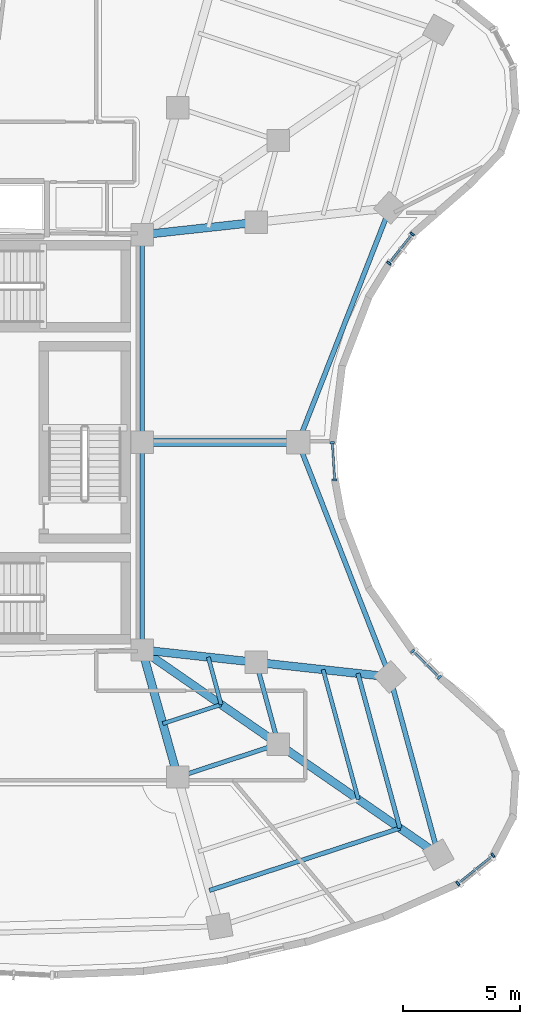
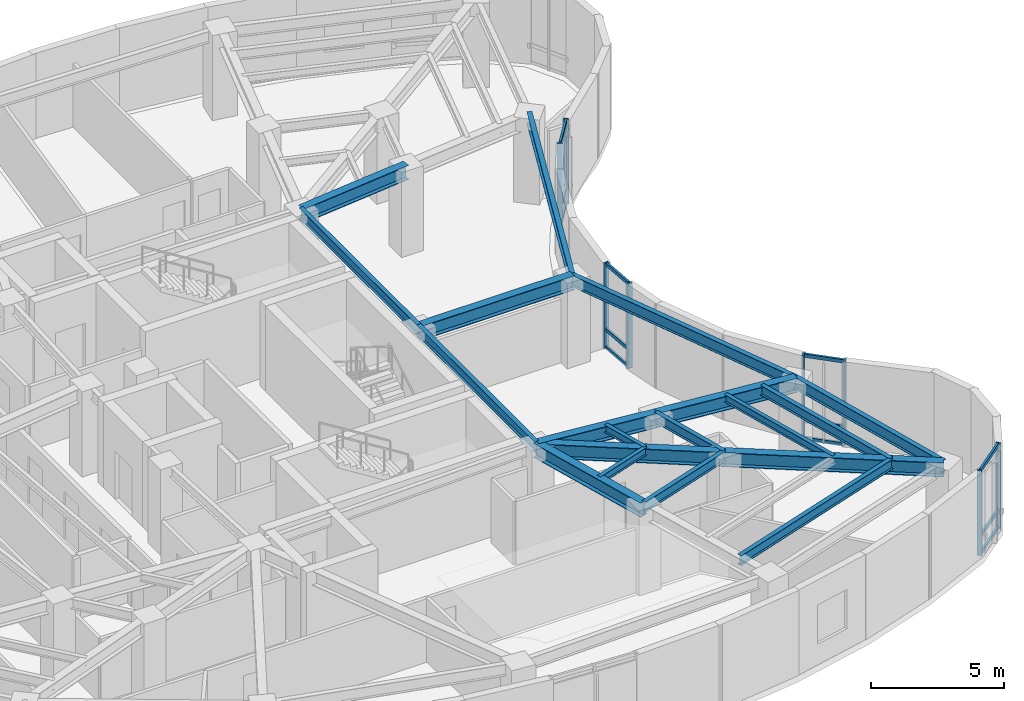
# One storey, part 4 of 15: 20 members, 19 beams, 4 elements without a shape of their own.
"""IFC4 building model written with IfcOpenShell, lengths in metres."""

from ifc_helpers import new_model, si_unit, direction, frame, origin, origin_2d, place, context, subcontext, project, spatial, rectangle, i_section, extrude, material, layer, layer_set, material_profile, profile_set, type_object, element, aggregate, save


model = new_model("IFC4")

# Units and contexts
model_context = context("Model", 3, precision=1e-05, world=origin(), true_north=direction((0.0, 1.0)))
body_context = subcontext(model_context, "Body", "Model", "MODEL_VIEW")
ifc_project = project(units=[si_unit("LENGTHUNIT", "METRE"), si_unit("AREAUNIT", "SQUARE_METRE"), si_unit("VOLUMEUNIT", "CUBIC_METRE"), si_unit("PLANEANGLEUNIT", "RADIAN"), si_unit("MASSUNIT", "GRAM", prefix="KILO")], contexts=[model_context])

# Site, building, storey
site_placement = place(None, origin())
site = spatial("IfcSite", under=ifc_project, at=site_placement, CompositionType="ELEMENT")
building_placement = place(site_placement, origin())
building = spatial("IfcBuilding", under=site, at=building_placement, Name="Korentha Bioscience Tower", CompositionType="ELEMENT")
storey_placement = place(building_placement, frame((0.0, 0.0, 218.39990234375)))
storey = spatial("IfcBuildingStorey", under=building, at=storey_placement, Name="L50", CompositionType="ELEMENT", Elevation=218.39990234375)

# Beams
ifc_material_1 = material(Name="Steel S355", Category="steel")
ifc_material_profile_1 = material_profile(ifc_material_1, i_section(OverallWidth=0.18994140625, OverallDepth=0.45703125, WebThickness=0.009033203125, FlangeThickness=0.014404296875, at=origin_2d()), Name="Steel S355")
ifc_profile_set_1 = profile_set([ifc_material_profile_1], Name="Steel S355 (MB-460)")
beam_type_1 = type_object("IfcBeamType", Name="Mid-Ring Tie Girder W460x74", PredefinedType="BEAM", material=ifc_profile_set_1)
beam_1_placement = place(storey_placement, frame((39.066650390625, 12.730224609375, 3.671630859375), z_axis=(0.950447398506, 0.310885417274, 0.0), x_axis=(-0.310885417274, 0.950447398506, 0.0)))
element("IfcBeam", 1, at=beam_1_placement, inside=storey, type_object=beam_type_1, Name="L50 Mid-Ring Tie Girder 12", PredefinedType="BEAM", context=body_context, shape_type="SweptSolid", body=[
    extrude(i_section(OverallWidth=0.18994140625, OverallDepth=0.45703125, WebThickness=0.009033203125, FlangeThickness=0.014404296875, at=origin_2d()), origin(), (0.0, 0.0, 1.0), 4.5146484375),
])
beam_2_placement = place(storey_placement, frame((43.357666015625, 14.1337890625, 3.671630859375), z_axis=(-0.262122358011, 0.965034646752, 0.0), x_axis=(-0.965034646752, -0.262122358011, 0.0)))
element("IfcBeam", 2, at=beam_2_placement, inside=storey, type_object=beam_type_1, Name="L50 Mid-Ring Tie Girder 13", PredefinedType="BEAM", context=body_context, shape_type="SweptSolid", body=[
    extrude(i_section(OverallWidth=0.18994140625, OverallDepth=0.45703125, WebThickness=0.009033203125, FlangeThickness=0.014404296875, at=origin_2d()), origin(), (0.0, 0.0, 1.0), 3.61279296875),
])
for number, where, z_axis, x_axis, name in (
    (3, (37.550048828125, 18.14990234375, 3.671630859375), (0.0, 1.0, 0.0), (-1.0, 0.0, 0.0), "L50 Core Ring Tie Girder 06"),
    (4, (37.550048828125, 27.0, 3.671630859375), (0.0, 1.0, 0.0), (-1.0, 0.0, 0.0), "L50 Core Ring Tie Girder 07"),
):
    element("IfcBeam", number, at=place(storey_placement, frame(where, z_axis=z_axis, x_axis=x_axis)), inside=storey, type_object=beam_type_1, Name=name, PredefinedType="BEAM", context=body_context, shape_type="SweptSolid", body=[
        extrude(i_section(OverallWidth=0.18994140625, OverallDepth=0.45703125, WebThickness=0.009033203125, FlangeThickness=0.014404296875, at=origin_2d()), origin(), (0.0, 0.0, 1.0), 8.85009765625),
    ])

# Curtain wall, members
ifc_material_2 = material(Name="Thermally Broken Aluminium Frame", Category="aluminium")
ifc_layer_1 = layer(ifc_material_2, 0.219970703125, Name="Thermally Broken Aluminium Frame")
ifc_layer_set_1 = layer_set([ifc_layer_1], Name="Thermally Broken Aluminium Frame (CW-T2)")
curtain_wall_type_1 = type_object("IfcCurtainWallType", Name="Solar-Screened Lab Unitised Curtain Wall CW-T2", PredefinedType="USERDEFINED", material=ifc_layer_set_1)
curtain_wall_1_placement = place(storey_placement, origin())
curtain_wall_1 = element("IfcCurtainWall", 5, at=curtain_wall_1_placement, inside=storey, type_object=curtain_wall_type_1, Name="L50 Curtain Wall 37", ObjectType="UNITISED", PredefinedType="USERDEFINED")
ifc_material_3 = material(Name="Anodised Aluminium 6063-T6", Category="aluminium")
ifc_material_profile_2 = material_profile(ifc_material_3, rectangle(XDim=0.090087890625, YDim=0.199951171875, at=origin_2d()), Name="Anodised Aluminium 6063-T6")
ifc_profile_set_2 = profile_set([ifc_material_profile_2], Name="Anodised Aluminium 6063-T6 (CW-MUL)")
member_type_1 = type_object("IfcMemberType", Name="Mullion RECT 90x200", PredefinedType="MULLION", material=ifc_profile_set_2)
member_1_placement = place(storey_placement, frame((51.01171875, 8.188720703125, 0.0), z_axis=(0.0, 0.0, 1.0), x_axis=(0.779197616162, 0.626778330008, 0.0)))
member_1 = element("IfcMember", 6, at=member_1_placement, type_object=member_type_1, Name="CW-L50-37 Mullion 1", PredefinedType="MULLION", context=body_context, shape_type="SweptSolid", body=[
    extrude(rectangle(XDim=0.090087890625, YDim=0.199951171875, at=origin_2d()), origin(), (0.0, 0.0, 1.0), 3.900146484375),
])
member_2_placement = place(storey_placement, frame((52.5087890625, 9.39306640625, 0.0), z_axis=(0.0, 0.0, 1.0), x_axis=(0.779197616162, 0.626778330008, 0.0)))
member_2 = element("IfcMember", 7, at=member_2_placement, type_object=member_type_1, Name="CW-L50-37 Mullion 2", PredefinedType="MULLION", context=body_context, shape_type="SweptSolid", body=[
    extrude(rectangle(XDim=0.090087890625, YDim=0.199951171875, at=origin_2d()), origin(), (0.0, 0.0, 1.0), 3.900146484375),
])

curtain_wall_2_placement = place(storey_placement, origin())
curtain_wall_2 = element("IfcCurtainWall", 8, at=curtain_wall_2_placement, inside=storey, type_object=curtain_wall_type_1, Name="L50 Curtain Wall 43", ObjectType="UNITISED", PredefinedType="USERDEFINED")
member_3_placement = place(storey_placement, frame((50.2197265625, 16.978759765625, 0.0), z_axis=(0.0, 0.0, 1.0), x_axis=(-0.713258270268, 0.700901305388, 0.0)))
member_3 = element("IfcMember", 9, at=member_3_placement, type_object=member_type_1, Name="CW-L50-43 Mullion 1", PredefinedType="MULLION", context=body_context, shape_type="SweptSolid", body=[
    extrude(rectangle(XDim=0.090087890625, YDim=0.199951171875, at=origin_2d()), origin(), (0.0, 0.0, 1.0), 3.900146484375),
])
member_4_placement = place(storey_placement, frame((49.08349609375, 18.095703125, 0.0), z_axis=(0.0, 0.0, 1.0), x_axis=(-0.713258270268, 0.700901305388, 0.0)))
member_4 = element("IfcMember", 10, at=member_4_placement, type_object=member_type_1, Name="CW-L50-43 Mullion 2", PredefinedType="MULLION", context=body_context, shape_type="SweptSolid", body=[
    extrude(rectangle(XDim=0.090087890625, YDim=0.199951171875, at=origin_2d()), origin(), (0.0, 0.0, 1.0), 3.900146484375),
])

ifc_layer_2 = layer(ifc_material_2, 0.219970703125, Name="Thermally Broken Aluminium Frame")
ifc_layer_set_2 = layer_set([ifc_layer_2], Name="Thermally Broken Aluminium Frame (CW-T1)")
curtain_wall_type_2 = type_object("IfcCurtainWallType", Name="Standard Bioscience Lab Unitised Curtain Wall CW-T1", PredefinedType="USERDEFINED", material=ifc_layer_set_2)
curtain_wall_3_placement = place(storey_placement, origin())
curtain_wall_3 = element("IfcCurtainWall", 11, at=curtain_wall_3_placement, inside=storey, type_object=curtain_wall_type_2, Name="L50 Curtain Wall 49", ObjectType="UNITISED", PredefinedType="USERDEFINED")
member_5_placement = place(storey_placement, frame((45.7568359375, 25.39501953125, 0.0), z_axis=(0.0, 0.0, 1.0), x_axis=(-0.06095424178, 0.998140561449, 0.0)))
member_5 = element("IfcMember", 12, at=member_5_placement, type_object=member_type_1, Name="CW-L50-49 Mullion 1", PredefinedType="MULLION", context=body_context, shape_type="SweptSolid", body=[
    extrude(rectangle(XDim=0.090087890625, YDim=0.199951171875, at=origin_2d()), origin(), (0.0, 0.0, 1.0), 3.900146484375),
])
member_6_placement = place(storey_placement, frame((45.65966796875, 26.985107421875, 0.0), z_axis=(0.0, 0.0, 1.0), x_axis=(-0.06095424178, 0.998140561449, 0.0)))
member_6 = element("IfcMember", 13, at=member_6_placement, type_object=member_type_1, Name="CW-L50-49 Mullion 2", PredefinedType="MULLION", context=body_context, shape_type="SweptSolid", body=[
    extrude(rectangle(XDim=0.090087890625, YDim=0.199951171875, at=origin_2d()), origin(), (0.0, 0.0, 1.0), 3.900146484375),
])

curtain_wall_4_placement = place(storey_placement, origin())
curtain_wall_4 = element("IfcCurtainWall", 14, at=curtain_wall_4_placement, inside=storey, type_object=curtain_wall_type_1, Name="L50 Curtain Wall 55", ObjectType="UNITISED", PredefinedType="USERDEFINED")
member_7_placement = place(storey_placement, frame((48.07177734375, 34.635498046875, 0.0), z_axis=(0.0, 0.0, 1.0), x_axis=(0.622511989066, 0.782610262819, 0.0)))
member_7 = element("IfcMember", 15, at=member_7_placement, type_object=member_type_1, Name="CW-L50-55 Mullion 1", PredefinedType="MULLION", context=body_context, shape_type="SweptSolid", body=[
    extrude(rectangle(XDim=0.090087890625, YDim=0.199951171875, at=origin_2d()), origin(), (0.0, 0.0, 1.0), 3.900146484375),
])
member_8_placement = place(storey_placement, frame((49.063720703125, 35.882568359375, 0.0), z_axis=(0.0, 0.0, 1.0), x_axis=(0.622511989066, 0.782610262819, 0.0)))
member_8 = element("IfcMember", 16, at=member_8_placement, type_object=member_type_1, Name="CW-L50-55 Mullion 2", PredefinedType="MULLION", context=body_context, shape_type="SweptSolid", body=[
    extrude(rectangle(XDim=0.090087890625, YDim=0.199951171875, at=origin_2d()), origin(), (0.0, 0.0, 1.0), 3.900146484375),
])

# Beams
ifc_material_profile_3 = material_profile(ifc_material_1, i_section(OverallWidth=0.208984375, OverallDepth=0.532958984375, WebThickness=0.01025390625, FlangeThickness=0.015625, at=origin_2d()), Name="Steel S355")
ifc_profile_set_3 = profile_set([ifc_material_profile_3], Name="Steel S355 (SB-530)")
beam_type_2 = type_object("IfcBeamType", Name="Perimeter Ring Spandrel Girder W530x92", PredefinedType="SPANDREL", material=ifc_profile_set_3)
beam_3_placement = place(storey_placement, frame((50.175537109375, 9.419189453125, 3.633544921875), z_axis=(-0.26215989838, 0.965024449266, 0.0), x_axis=(-0.965024449266, -0.26215989838, 0.0)))
element("IfcBeam", 17, at=beam_3_placement, inside=storey, type_object=beam_type_2, Name="L50 Perimeter Spandrel Girder 13", PredefinedType="SPANDREL", context=body_context, shape_type="SweptSolid", body=[
    extrude(i_section(OverallWidth=0.208984375, OverallDepth=0.532958984375, WebThickness=0.01025390625, FlangeThickness=0.015625, at=origin_2d()), origin(), (0.0, 0.0, 1.0), 7.854248046875),
])
for number, where, z_axis, x_axis, name in (
    (18, (48.116455078125, 16.998779296875, 3.633544921875), (-0.364482486075, 0.931210243363, 0.0), (-0.931210243363, -0.364482486075, 0.0), "L50 Perimeter Spandrel Girder 14"),
    (19, (44.201904296875, 27.0, 3.633544921875), (0.364482486075, 0.931210243363, 0.0), (-0.931210243363, 0.364482486075, 0.0), "L50 Perimeter Spandrel Girder 15"),
):
    element("IfcBeam", number, at=place(storey_placement, frame(where, z_axis=z_axis, x_axis=x_axis)), inside=storey, type_object=beam_type_2, Name=name, PredefinedType="SPANDREL", context=body_context, shape_type="SweptSolid", body=[
        extrude(i_section(OverallWidth=0.208984375, OverallDepth=0.532958984375, WebThickness=0.01025390625, FlangeThickness=0.015625, at=origin_2d()), origin(), (0.0, 0.0, 1.0), 10.739990234375),
    ])
ifc_material_profile_4 = material_profile(ifc_material_1, i_section(OverallWidth=0.18994140625, OverallDepth=0.45703125, WebThickness=0.009033203125, FlangeThickness=0.014404296875, at=origin_2d()), Name="Steel S355")
ifc_profile_set_4 = profile_set([ifc_material_profile_4], Name="Steel S355 (RB-460)")
beam_type_3 = type_object("IfcBeamType", Name="Radial Laboratory Beam W460x74", PredefinedType="BEAM", material=ifc_profile_set_4)
beam_4_placement = place(storey_placement, frame((40.419677734375, 7.89501953125, 3.671630859375), z_axis=(0.950451488918, 0.310872911674, 0.0), x_axis=(-0.310872911674, 0.950451488918, 0.0)))
element("IfcBeam", 20, at=beam_4_placement, inside=storey, type_object=beam_type_3, Name="L50 Secondary Floor Beam JSTO-12", PredefinedType="BEAM", context=body_context, shape_type="SweptSolid", body=[
    extrude(i_section(OverallWidth=0.18994140625, OverallDepth=0.45703125, WebThickness=0.009033203125, FlangeThickness=0.014404296875, at=origin_2d()), origin(), (0.0, 0.0, 1.0), 8.54296875),
])
beam_5_placement = place(storey_placement, frame((48.539306640625, 10.55078125, 3.671630859375), z_axis=(-0.262165402462, 0.965022954003, 0.0), x_axis=(-0.965022954003, -0.262165402462, 0.0)))
element("IfcBeam", 21, at=beam_5_placement, inside=storey, type_object=beam_type_3, Name="L50 Secondary Floor Beam JSTO-13", PredefinedType="BEAM", context=body_context, shape_type="SweptSolid", body=[
    extrude(i_section(OverallWidth=0.18994140625, OverallDepth=0.45703125, WebThickness=0.009033203125, FlangeThickness=0.014404296875, at=origin_2d()), origin(), (0.0, 0.0, 1.0), 6.836181640625),
])
ifc_material_profile_5 = material_profile(ifc_material_1, i_section(OverallWidth=0.35009765625, OverallDepth=0.64990234375, WebThickness=0.01611328125, FlangeThickness=0.02490234375, at=origin_2d()), Name="Steel S355")
ifc_profile_set_5 = profile_set([ifc_material_profile_5], Name="Steel S355 (RB-650)")
beam_type_4 = type_object("IfcBeamType", Name="Radial Laboratory Girder CVS 650x208", PredefinedType="BEAM", material=ifc_profile_set_5)
beam_6_placement = place(storey_placement, frame((37.550048828125, 18.14990234375, 3.5751953125), z_axis=(0.269480278508, -0.963005908339, 0.0), x_axis=(0.963005908339, 0.269480278508, 0.0)))
element("IfcBeam", 22, at=beam_6_placement, inside=storey, type_object=beam_type_4, Name="L50 Inner Radial Girder 12", PredefinedType="BEAM", context=body_context, shape_type="SweptSolid", body=[
    extrude(i_section(OverallWidth=0.35009765625, OverallDepth=0.64990234375, WebThickness=0.01611328125, FlangeThickness=0.02490234375, at=origin_2d()), origin(), (0.0, 0.0, 1.0), 5.6279296875),
])
beam_7_placement = place(storey_placement, frame((37.550048828125, 18.14990234375, 3.5751953125), z_axis=(0.822493302413, -0.568774795052, 0.0), x_axis=(0.568774795052, 0.822493302413, 0.0)))
element("IfcBeam", 23, at=beam_7_placement, inside=storey, type_object=beam_type_4, Name="L50 Inner Radial Girder 13", PredefinedType="BEAM", context=body_context, shape_type="SweptSolid", body=[
    extrude(i_section(OverallWidth=0.35009765625, OverallDepth=0.64990234375, WebThickness=0.01611328125, FlangeThickness=0.02490234375, at=origin_2d()), origin(), (0.0, 0.0, 1.0), 7.06103515625),
])
beam_8_placement = place(storey_placement, frame((43.357666015625, 14.1337890625, 3.5751953125), z_axis=(0.82250061903, -0.568764214499, 0.0), x_axis=(0.568764214499, 0.82250061903, 0.0)))
element("IfcBeam", 24, at=beam_8_placement, inside=storey, type_object=beam_type_4, Name="L50 Outer Radial Girder 13", PredefinedType="BEAM", context=body_context, shape_type="SweptSolid", body=[
    extrude(i_section(OverallWidth=0.35009765625, OverallDepth=0.64990234375, WebThickness=0.01611328125, FlangeThickness=0.02490234375, at=origin_2d()), origin(), (0.0, 0.0, 1.0), 8.289306640625),
])
beam_9_placement = place(storey_placement, frame((37.550048828125, 18.14990234375, 3.5751953125), z_axis=(0.994117728659, -0.108304854762, 0.0), x_axis=(0.108304854762, 0.994117728659, 0.0)))
element("IfcBeam", 25, at=beam_9_placement, inside=storey, type_object=beam_type_4, Name="L50 Inner Radial Girder 14", PredefinedType="BEAM", context=body_context, shape_type="SweptSolid", body=[
    extrude(i_section(OverallWidth=0.35009765625, OverallDepth=0.64990234375, WebThickness=0.01611328125, FlangeThickness=0.02490234375, at=origin_2d()), origin(), (0.0, 0.0, 1.0), 4.889404296875),
])
beam_10_placement = place(storey_placement, frame((42.41064453125, 17.620361328125, 3.5751953125), z_axis=(0.994118507308, -0.108297707398, 0.0), x_axis=(0.108297707398, 0.994118507308, 0.0)))
element("IfcBeam", 26, at=beam_10_placement, inside=storey, type_object=beam_type_4, Name="L50 Outer Radial Girder 14", PredefinedType="BEAM", context=body_context, shape_type="SweptSolid", body=[
    extrude(i_section(OverallWidth=0.35009765625, OverallDepth=0.64990234375, WebThickness=0.01611328125, FlangeThickness=0.02490234375, at=origin_2d()), origin(), (0.0, 0.0, 1.0), 5.739501953125),
])
beam_11_placement = place(storey_placement, frame((37.550048828125, 27.0, 3.5751953125), z_axis=(1.0, 0.0, 0.0), x_axis=(0.0, 1.0, 0.0)))
element("IfcBeam", 27, at=beam_11_placement, inside=storey, type_object=beam_type_4, Name="L50 Radial Girder 15", PredefinedType="BEAM", context=body_context, shape_type="SweptSolid", body=[
    extrude(i_section(OverallWidth=0.35009765625, OverallDepth=0.64990234375, WebThickness=0.01611328125, FlangeThickness=0.02490234375, at=origin_2d()), origin(), (0.0, 0.0, 1.0), 6.65185546875),
])
beam_12_placement = place(storey_placement, frame((37.550048828125, 35.85009765625, 3.5751953125), z_axis=(0.994117728659, 0.108304854762, 0.0), x_axis=(-0.108304854762, 0.994117728659, 0.0)))
element("IfcBeam", 28, at=beam_12_placement, inside=storey, type_object=beam_type_4, Name="L50 Inner Radial Girder 16", PredefinedType="BEAM", context=body_context, shape_type="SweptSolid", body=[
    extrude(i_section(OverallWidth=0.35009765625, OverallDepth=0.64990234375, WebThickness=0.01611328125, FlangeThickness=0.02490234375, at=origin_2d()), origin(), (0.0, 0.0, 1.0), 4.889404296875),
])
ifc_material_profile_6 = material_profile(ifc_material_1, i_section(OverallWidth=0.1708984375, OverallDepth=0.35498046875, WebThickness=0.007080078125, FlangeThickness=0.01171875, at=origin_2d()), Name="Steel S355")
ifc_profile_set_6 = profile_set([ifc_material_profile_6], Name="Steel S355 (JB-360)")
beam_type_5 = type_object("IfcBeamType", Name="Secondary Laboratory Joist W360x51", PredefinedType="JOIST", material=ifc_profile_set_6)
beam_13_placement = place(storey_placement, frame((38.4296875, 15.006591796875, 3.72265625), z_axis=(0.950458247894, 0.31085224627, 0.0), x_axis=(-0.31085224627, 0.950458247894, 0.0)))
element("IfcBeam", 29, at=beam_13_placement, inside=storey, type_object=beam_type_5, Name="L50 Inner Bay Joist 12", PredefinedType="JOIST", context=body_context, shape_type="SweptSolid", body=[
    extrude(i_section(OverallWidth=0.1708984375, OverallDepth=0.35498046875, WebThickness=0.007080078125, FlangeThickness=0.01171875, at=origin_2d()), origin(), (0.0, 0.0, 1.0), 2.618408203125),
])
beam_14_placement = place(storey_placement, frame((46.7666015625, 11.776611328125, 3.72265625), z_axis=(-0.262133629198, 0.965031585205, 0.0), x_axis=(-0.965031585205, -0.262133629198, 0.0)))
element("IfcBeam", 30, at=beam_14_placement, inside=storey, type_object=beam_type_5, Name="L50 Secondary Floor Beam JST-13", PredefinedType="JOIST", context=body_context, shape_type="SweptSolid", body=[
    extrude(i_section(OverallWidth=0.1708984375, OverallDepth=0.35498046875, WebThickness=0.007080078125, FlangeThickness=0.01171875, at=origin_2d()), origin(), (0.0, 0.0, 1.0), 5.7333984375),
])
beam_15_placement = place(storey_placement, frame((40.91845703125, 15.820556640625, 3.72265625), z_axis=(-0.262141298938, 0.965029501824, 0.0), x_axis=(-0.965029501824, -0.262141298938, 0.0)))
element("IfcBeam", 31, at=beam_15_placement, inside=storey, type_object=beam_type_5, Name="L50 Inner Bay Joist 13", PredefinedType="JOIST", context=body_context, shape_type="SweptSolid", body=[
    extrude(i_section(OverallWidth=0.1708984375, OverallDepth=0.35498046875, WebThickness=0.007080078125, FlangeThickness=0.01171875, at=origin_2d()), origin(), (0.0, 0.0, 1.0), 2.095458984375),
])

# Member
ifc_material_profile_7 = material_profile(ifc_material_3, rectangle(XDim=0.090087890625, YDim=0.159912109375, at=origin_2d()), Name="Anodised Aluminium 6063-T6")
ifc_profile_set_7 = profile_set([ifc_material_profile_7], Name="Anodised Aluminium 6063-T6 (CW-TRN)")
member_type_2 = type_object("IfcMemberType", Name="Transom RECT 90x160", PredefinedType="USERDEFINED", material=ifc_profile_set_7)
member_9_placement = place(storey_placement, frame((51.046630859375, 8.216796875, 0.045166015625), z_axis=(0.779227601678, 0.62674105082, 0.0), x_axis=(-0.62674105082, 0.779227601678, 0.0)))
member_9 = element("IfcMember", 32, at=member_9_placement, type_object=member_type_2, Name="CW-L50-37 Bay 1 Transom 1", ObjectType="TRANSOM", PredefinedType="USERDEFINED", context=body_context, shape_type="SweptSolid", body=[
    extrude(rectangle(XDim=0.090087890625, YDim=0.159912109375, at=origin_2d()), origin(), (0.0, 0.0, 1.0), 1.83154296875),
])

member_10_placement = place(storey_placement, frame((51.046630859375, 8.216796875, 0.85009765625), z_axis=(0.779227601678, 0.62674105082, 0.0), x_axis=(-0.62674105082, 0.779227601678, 0.0)))
member_10 = element("IfcMember", 33, at=member_10_placement, type_object=member_type_2, Name="CW-L50-37 Bay 1 Transom 2", ObjectType="TRANSOM", PredefinedType="USERDEFINED", context=body_context, shape_type="SweptSolid", body=[
    extrude(rectangle(XDim=0.090087890625, YDim=0.159912109375, at=origin_2d()), origin(), (0.0, 0.0, 1.0), 1.83154296875),
])

member_11_placement = place(storey_placement, frame((51.046630859375, 8.216796875, 3.85498046875), z_axis=(0.779227601678, 0.62674105082, 0.0), x_axis=(-0.62674105082, 0.779227601678, 0.0)))
member_11 = element("IfcMember", 34, at=member_11_placement, type_object=member_type_2, Name="CW-L50-37 Bay 1 Transom 3", ObjectType="TRANSOM", PredefinedType="USERDEFINED", context=body_context, shape_type="SweptSolid", body=[
    extrude(rectangle(XDim=0.090087890625, YDim=0.159912109375, at=origin_2d()), origin(), (0.0, 0.0, 1.0), 1.83154296875),
])

aggregate(curtain_wall_1, [member_1, member_2, member_9, member_10, member_11])

member_12_placement = place(storey_placement, frame((50.187744140625, 17.010498046875, 0.045166015625), z_axis=(-0.713332158059, 0.700826107018, 0.0), x_axis=(-0.700826107018, -0.713332158059, 0.0)))
member_12 = element("IfcMember", 35, at=member_12_placement, type_object=member_type_2, Name="CW-L50-43 Bay 1 Transom 1", ObjectType="TRANSOM", PredefinedType="USERDEFINED", context=body_context, shape_type="SweptSolid", body=[
    extrude(rectangle(XDim=0.090087890625, YDim=0.159912109375, at=origin_2d()), origin(), (0.0, 0.0, 1.0), 1.503173828125),
])

member_13_placement = place(storey_placement, frame((50.187744140625, 17.010498046875, 0.85009765625), z_axis=(-0.713332158059, 0.700826107018, 0.0), x_axis=(-0.700826107018, -0.713332158059, 0.0)))
member_13 = element("IfcMember", 36, at=member_13_placement, type_object=member_type_2, Name="CW-L50-43 Bay 1 Transom 2", ObjectType="TRANSOM", PredefinedType="USERDEFINED", context=body_context, shape_type="SweptSolid", body=[
    extrude(rectangle(XDim=0.090087890625, YDim=0.159912109375, at=origin_2d()), origin(), (0.0, 0.0, 1.0), 1.503173828125),
])

member_14_placement = place(storey_placement, frame((50.187744140625, 17.010498046875, 3.85498046875), z_axis=(-0.713332158059, 0.700826107018, 0.0), x_axis=(-0.700826107018, -0.713332158059, 0.0)))
member_14 = element("IfcMember", 37, at=member_14_placement, type_object=member_type_2, Name="CW-L50-43 Bay 1 Transom 3", ObjectType="TRANSOM", PredefinedType="USERDEFINED", context=body_context, shape_type="SweptSolid", body=[
    extrude(rectangle(XDim=0.090087890625, YDim=0.159912109375, at=origin_2d()), origin(), (0.0, 0.0, 1.0), 1.503173828125),
])

aggregate(curtain_wall_2, [member_3, member_4, member_12, member_13, member_14])

member_15_placement = place(storey_placement, frame((45.75390625, 25.439697265625, 0.045166015625), z_axis=(-0.060902034753, 0.998143748246, 0.0), x_axis=(-0.998143748246, -0.060902034753, 0.0)))
member_15 = element("IfcMember", 38, at=member_15_placement, type_object=member_type_2, Name="CW-L50-49 Bay 1 Transom 1", ObjectType="TRANSOM", PredefinedType="USERDEFINED", context=body_context, shape_type="SweptSolid", body=[
    extrude(rectangle(XDim=0.090087890625, YDim=0.159912109375, at=origin_2d()), origin(), (0.0, 0.0, 1.0), 1.503173828125),
])

member_16_placement = place(storey_placement, frame((45.75390625, 25.439697265625, 0.85009765625), z_axis=(-0.060902034753, 0.998143748246, 0.0), x_axis=(-0.998143748246, -0.060902034753, 0.0)))
member_16 = element("IfcMember", 39, at=member_16_placement, type_object=member_type_2, Name="CW-L50-49 Bay 1 Transom 2", ObjectType="TRANSOM", PredefinedType="USERDEFINED", context=body_context, shape_type="SweptSolid", body=[
    extrude(rectangle(XDim=0.090087890625, YDim=0.159912109375, at=origin_2d()), origin(), (0.0, 0.0, 1.0), 1.503173828125),
])

member_17_placement = place(storey_placement, frame((45.75390625, 25.439697265625, 3.85498046875), z_axis=(-0.060902034753, 0.998143748246, 0.0), x_axis=(-0.998143748246, -0.060902034753, 0.0)))
member_17 = element("IfcMember", 40, at=member_17_placement, type_object=member_type_2, Name="CW-L50-49 Bay 1 Transom 3", ObjectType="TRANSOM", PredefinedType="USERDEFINED", context=body_context, shape_type="SweptSolid", body=[
    extrude(rectangle(XDim=0.090087890625, YDim=0.159912109375, at=origin_2d()), origin(), (0.0, 0.0, 1.0), 1.503173828125),
])

aggregate(curtain_wall_3, [member_5, member_6, member_15, member_16, member_17])

member_18_placement = place(storey_placement, frame((48.099609375, 34.670654296875, 0.045166015625), z_axis=(0.622514525424, 0.782608245316, 0.0), x_axis=(-0.782608245316, 0.622514525424, 0.0)))
member_18 = element("IfcMember", 41, at=member_18_placement, type_object=member_type_2, Name="CW-L50-55 Bay 1 Transom 1", ObjectType="TRANSOM", PredefinedType="USERDEFINED", context=body_context, shape_type="SweptSolid", body=[
    extrude(rectangle(XDim=0.090087890625, YDim=0.159912109375, at=origin_2d()), origin(), (0.0, 0.0, 1.0), 1.503662109375),
])

member_19_placement = place(storey_placement, frame((48.099609375, 34.670654296875, 0.85009765625), z_axis=(0.622514525424, 0.782608245316, 0.0), x_axis=(-0.782608245316, 0.622514525424, 0.0)))
member_19 = element("IfcMember", 42, at=member_19_placement, type_object=member_type_2, Name="CW-L50-55 Bay 1 Transom 2", ObjectType="TRANSOM", PredefinedType="USERDEFINED", context=body_context, shape_type="SweptSolid", body=[
    extrude(rectangle(XDim=0.090087890625, YDim=0.159912109375, at=origin_2d()), origin(), (0.0, 0.0, 1.0), 1.503662109375),
])

member_20_placement = place(storey_placement, frame((48.099609375, 34.670654296875, 3.85498046875), z_axis=(0.622514525424, 0.782608245316, 0.0), x_axis=(-0.782608245316, 0.622514525424, 0.0)))
member_20 = element("IfcMember", 43, at=member_20_placement, type_object=member_type_2, Name="CW-L50-55 Bay 1 Transom 3", ObjectType="TRANSOM", PredefinedType="USERDEFINED", context=body_context, shape_type="SweptSolid", body=[
    extrude(rectangle(XDim=0.090087890625, YDim=0.159912109375, at=origin_2d()), origin(), (0.0, 0.0, 1.0), 1.503662109375),
])

aggregate(curtain_wall_4, [member_7, member_8, member_18, member_19, member_20])

save(model, "model.ifc")
